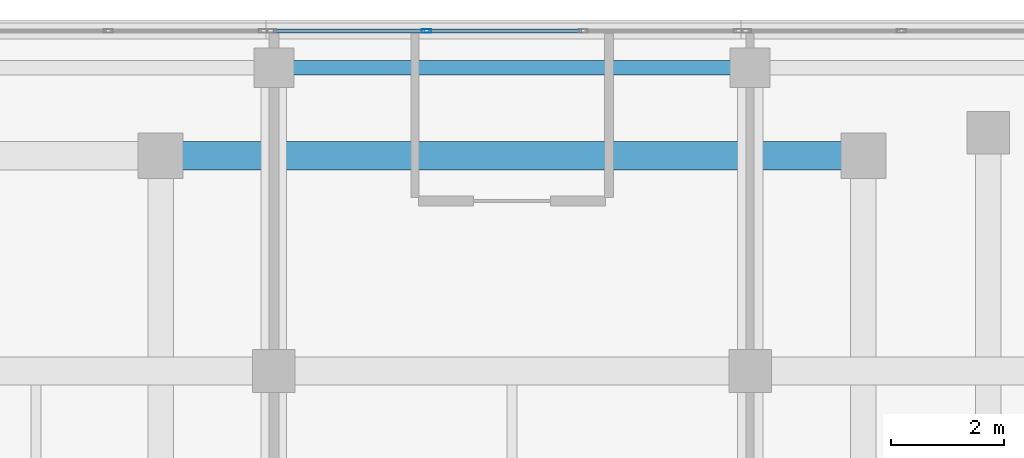
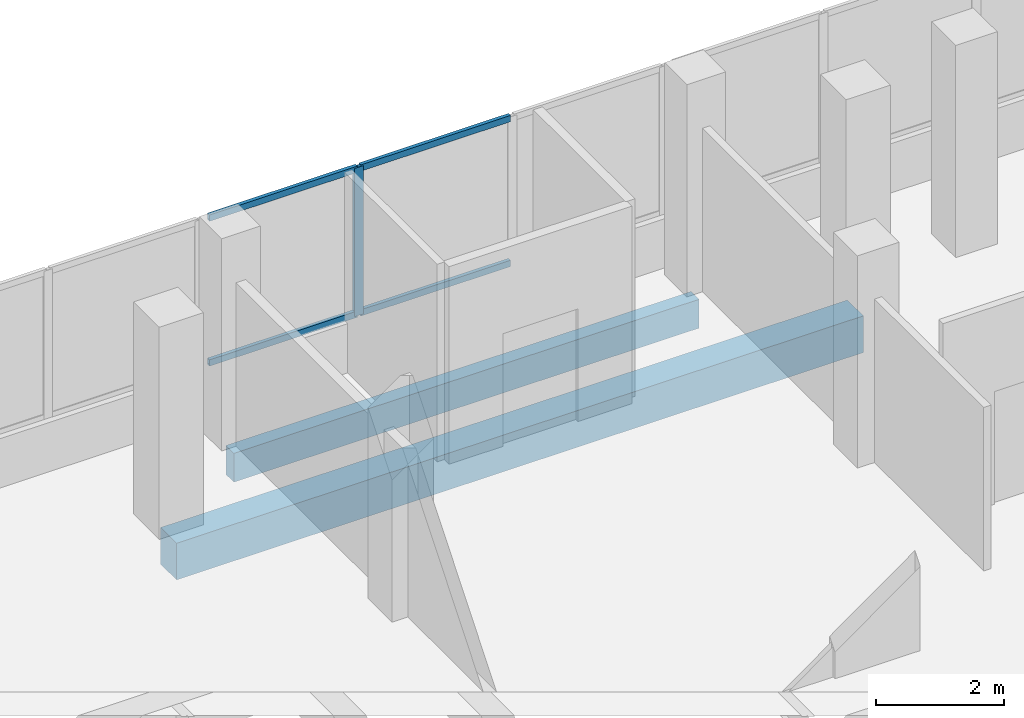
# One storey, part 43 of 101: 5 members, 2 beams, 1 element without a shape of its own.
"""IFC4 building model written with IfcOpenShell, lengths in metres."""

from ifc_helpers import new_model, si_unit, direction, frame, origin, origin_2d, place, context, subcontext, project, spatial, rectangle, hollow_rectangle, extrude, material, material_profile, profile_set, type_object, element, aggregate, save


model = new_model("IFC4")

# Units and contexts
model_context = context("Model", 3, precision=1e-05, world=origin(), true_north=direction((0.0, 1.0)))
body_context = subcontext(model_context, "Body", "Model", "MODEL_VIEW")
ifc_project = project(units=[si_unit("LENGTHUNIT", "METRE"), si_unit("AREAUNIT", "SQUARE_METRE"), si_unit("VOLUMEUNIT", "CUBIC_METRE"), si_unit("PLANEANGLEUNIT", "RADIAN"), si_unit("MASSUNIT", "GRAM", prefix="KILO")], contexts=[model_context])

# Site, building, storey
site_placement = place(None, origin())
site = spatial("IfcSite", under=ifc_project, at=site_placement, CompositionType="ELEMENT")
building_placement = place(site_placement, origin())
building = spatial("IfcBuilding", under=site, at=building_placement, Name="Selatvlak General Hospital", CompositionType="ELEMENT")
storey_placement = place(building_placement, frame((0.0, 0.0, 19.199951171875)))
storey = spatial("IfcBuildingStorey", under=building, at=storey_placement, Name="L04", CompositionType="ELEMENT", Elevation=19.199951171875)

# Beams
ifc_material_1 = material(Name="Concrete C40/50", Category="concrete")
ifc_material_profile_1 = material_profile(ifc_material_1, rectangle(XDim=0.5, YDim=0.699951171875, at=origin_2d()), Name="RC-BM 500x700")
ifc_profile_set_1 = profile_set([ifc_material_profile_1], Name="Concrete C40/50")
beam_type_1 = type_object("IfcBeamType", Name="BM-G03", PredefinedType="BEAM", material=ifc_profile_set_1)
beam_1_placement = place(storey_placement, frame((71.199951171875, 117.800048828125, -0.655029296875), z_axis=(1.0, 0.0, 0.0), x_axis=(0.0, 1.0, 0.0)))
element("IfcBeam", 1, at=beam_1_placement, inside=storey, type_object=beam_type_1, Name="Beam BMR-L04-1628", PredefinedType="BEAM", context=body_context, shape_type="SweptSolid", body=[
    extrude(rectangle(XDim=0.5, YDim=0.699951171875, at=origin_2d()), origin(), (0.0, 0.0, 1.0), 12.400146484375),
])
ifc_material_profile_2 = material_profile(ifc_material_1, rectangle(XDim=0.25, YDim=0.550048828125, at=origin_2d()), Name="RC-SP 250x550")
ifc_profile_set_2 = profile_set([ifc_material_profile_2], Name="Concrete C40/50")
beam_type_2 = type_object("IfcBeamType", Name="BM-SP2", PredefinedType="SPANDREL", material=ifc_profile_set_2)
beam_2_placement = place(storey_placement, frame((73.199951171875, 119.35009765625, -0.579833984375), z_axis=(1.0, 0.0, 0.0), x_axis=(0.0, 1.0, 0.0)))
element("IfcBeam", 2, at=beam_2_placement, inside=storey, type_object=beam_type_2, Name="Beam BMR-L04-1632", PredefinedType="SPANDREL", context=body_context, shape_type="SweptSolid", body=[
    extrude(rectangle(XDim=0.25, YDim=0.550048828125, at=origin_2d()), origin(), (0.0, 0.0, 1.0), 8.400146484375),
])

# Curtain wall, members
ifc_material_2 = material(Name="Solar-control Low-E double glazing", Category="glass")
curtain_wall_type = type_object("IfcCurtainWallType", Name="CW-CW-01", PredefinedType="USERDEFINED", material=ifc_material_2)
curtain_wall_placement = place(storey_placement, origin())
curtain_wall = element("IfcCurtainWall", 3, at=curtain_wall_placement, inside=storey, type_object=curtain_wall_type, Name="Glazed facade curtain wall CW-L04-0487", ObjectType="UNITISED CURTAIN WALL", PredefinedType="USERDEFINED")
ifc_material_3 = material(Name="Dark anodised aluminium mullion", Category="aluminium")
ifc_material_profile_3 = material_profile(ifc_material_3, hollow_rectangle(XDim=0.06494140625, YDim=0.159912109375, WallThickness=0.00390625, at=origin_2d()), Name="AL-MUL 65x160x4")
ifc_profile_set_3 = profile_set([ifc_material_profile_3], Name="Dark anodised aluminium mullion")
member_type_1 = type_object("IfcMemberType", Name="CWM-01", PredefinedType="MULLION", material=ifc_profile_set_3)
member_1_placement = place(storey_placement, frame((75.8916015625, 119.9990234375, 0.93994140625), z_axis=(0.0, 0.0, 1.0), x_axis=(0.0, 1.0, 0.0)))
member_1 = element("IfcMember", 4, at=member_1_placement, type_object=member_type_1, Name="CW-01 mullion 2", PredefinedType="MULLION", context=body_context, shape_type="SweptSolid", body=[
    extrude(hollow_rectangle(XDim=0.06494140625, YDim=0.159912109375, WallThickness=0.00390625, at=origin_2d()), origin(), (0.0, 0.0, 1.0), 2.830078125),
])
ifc_material_profile_4 = material_profile(ifc_material_3, hollow_rectangle(XDim=0.06494140625, YDim=0.1201171875, WallThickness=0.00390625, at=origin_2d()), Name="AL-TRN 65x120x4")
ifc_profile_set_4 = profile_set([ifc_material_profile_4], Name="Dark anodised aluminium mullion")
member_type_2 = type_object("IfcMemberType", Name="CWT-01", PredefinedType="USERDEFINED", material=ifc_profile_set_4)
member_2_placement = place(storey_placement, frame((73.18994140625, 119.9990234375, 0.97265625), z_axis=(1.0, 0.0, 0.0), x_axis=(0.0, 1.0, 0.0)))
member_2 = element("IfcMember", 5, at=member_2_placement, type_object=member_type_2, Name="CW-01 transom 1.1", ObjectType="TRANSOM", PredefinedType="USERDEFINED", context=body_context, shape_type="SweptSolid", body=[
    extrude(hollow_rectangle(XDim=0.06494140625, YDim=0.1201171875, WallThickness=0.00390625, at=origin_2d()), origin(), (0.0, 0.0, 1.0), 2.669189453125),
])
member_3_placement = place(storey_placement, frame((73.18994140625, 119.9990234375, 3.737548828125), z_axis=(1.0, 0.0, 0.0), x_axis=(0.0, 1.0, 0.0)))
member_3 = element("IfcMember", 6, at=member_3_placement, type_object=member_type_2, Name="CW-01 transom 1.2", ObjectType="TRANSOM", PredefinedType="USERDEFINED", context=body_context, shape_type="SweptSolid", body=[
    extrude(hollow_rectangle(XDim=0.06494140625, YDim=0.1201171875, WallThickness=0.00390625, at=origin_2d()), origin(), (0.0, 0.0, 1.0), 2.669189453125),
])
member_4_placement = place(storey_placement, frame((75.924072265625, 119.9990234375, 0.97265625), z_axis=(1.0, 0.0, 0.0), x_axis=(0.0, 1.0, 0.0)))
member_4 = element("IfcMember", 7, at=member_4_placement, type_object=member_type_2, Name="CW-01 transom 2.1", ObjectType="TRANSOM", PredefinedType="USERDEFINED", context=body_context, shape_type="SweptSolid", body=[
    extrude(hollow_rectangle(XDim=0.06494140625, YDim=0.1201171875, WallThickness=0.00390625, at=origin_2d()), origin(), (0.0, 0.0, 1.0), 2.70166015625),
])
member_5_placement = place(storey_placement, frame((75.924072265625, 119.9990234375, 3.737548828125), z_axis=(1.0, 0.0, 0.0), x_axis=(0.0, 1.0, 0.0)))
member_5 = element("IfcMember", 8, at=member_5_placement, type_object=member_type_2, Name="CW-01 transom 2.2", ObjectType="TRANSOM", PredefinedType="USERDEFINED", context=body_context, shape_type="SweptSolid", body=[
    extrude(hollow_rectangle(XDim=0.06494140625, YDim=0.1201171875, WallThickness=0.00390625, at=origin_2d()), origin(), (0.0, 0.0, 1.0), 2.70166015625),
])
aggregate(curtain_wall, [member_1, member_2, member_3, member_4, member_5])

save(model, "model.ifc")
